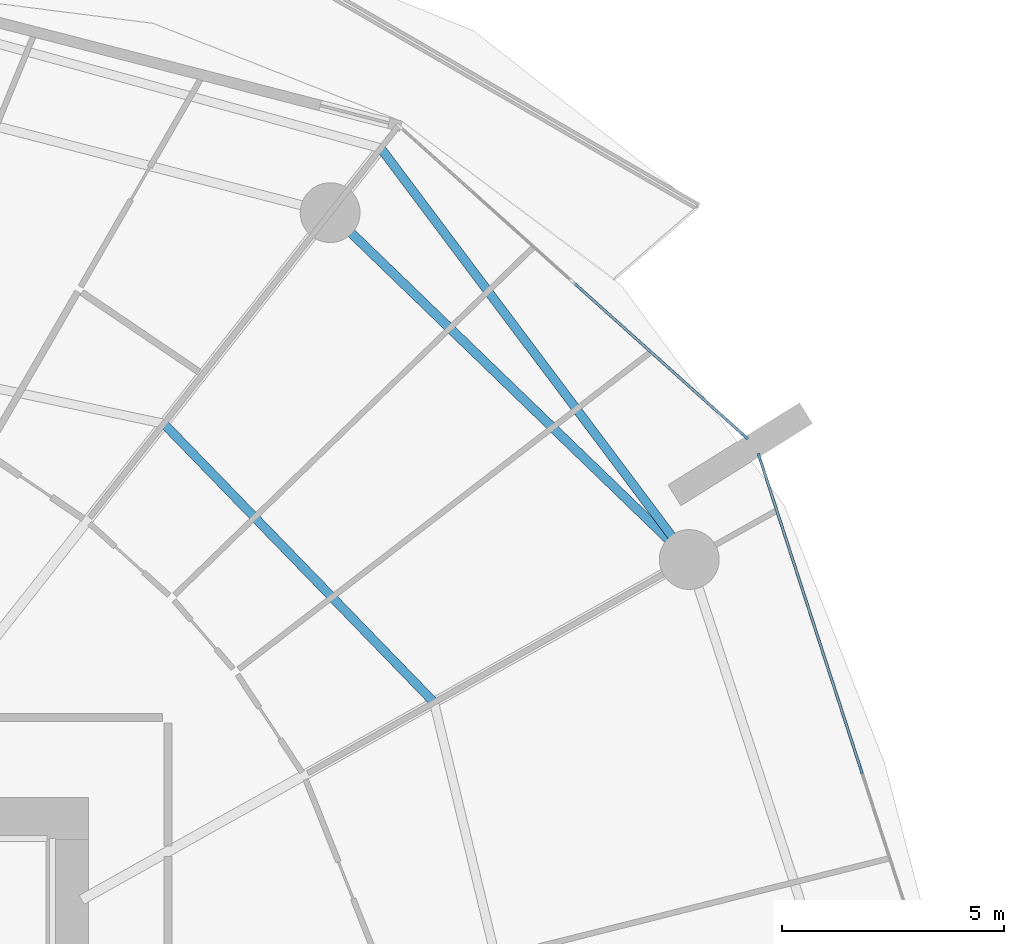
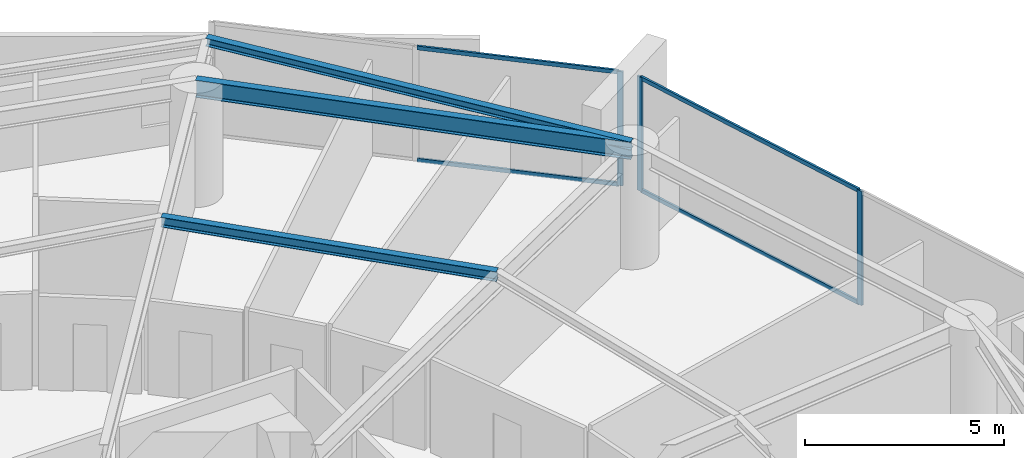
# One storey, part 15 of 31: 7 members, 3 beams, 2 elements without a shape of their own.
"""IFC4 building model written with IfcOpenShell, lengths in metres."""

from ifc_helpers import new_model, si_unit, direction, frame, origin, origin_2d, place, context, subcontext, project, spatial, rectangle, i_section, extrude, material, layer, layer_set, material_profile, profile_set, type_object, element, aggregate, save


model = new_model("IFC4")

# Units and contexts
model_context = context("Model", 3, precision=1e-05, world=origin(), true_north=direction((0.0, 1.0)))
body_context = subcontext(model_context, "Body", "Model", "MODEL_VIEW")
ifc_project = project(units=[si_unit("LENGTHUNIT", "METRE"), si_unit("AREAUNIT", "SQUARE_METRE"), si_unit("VOLUMEUNIT", "CUBIC_METRE"), si_unit("PLANEANGLEUNIT", "RADIAN"), si_unit("MASSUNIT", "GRAM", prefix="KILO")], contexts=[model_context])

# Site, building, storey
site_placement = place(None, origin())
site = spatial("IfcSite", under=ifc_project, at=site_placement, CompositionType="ELEMENT")
building_placement = place(site_placement, origin())
building = spatial("IfcBuilding", under=site, at=building_placement, Name="Kazma Halo Residences", CompositionType="ELEMENT")
storey_placement = place(building_placement, frame((0.0, 0.0, 41.39990234375)))
storey = spatial("IfcBuildingStorey", under=building, at=storey_placement, Name="L09", CompositionType="ELEMENT", Elevation=41.39990234375)

# Beams
ifc_material_1 = material(Name="Steel S355", Category="steel")
ifc_material_profile_1 = material_profile(ifc_material_1, i_section(OverallWidth=0.201904296875, OverallDepth=0.2470703125, WebThickness=0.00732421875, FlangeThickness=0.010986328125, FilletRadius=0.011962890625, at=origin_2d()), Name="W250x49.1")
ifc_profile_set_1 = profile_set([ifc_material_profile_1], Name="Steel S355")
beam_type_1 = type_object("IfcBeamType", Name="BM-BAL-CANT", PredefinedType="BEAM", material=ifc_profile_set_1)
beam_1_placement = place(storey_placement, frame((73.56494140625, 56.317138671875, 3.376708984375), z_axis=(-0.600026935007, 0.799979798037, 0.0), x_axis=(-0.799979798037, -0.600026935007, 0.0)))
element("IfcBeam", 1, at=beam_1_placement, inside=storey, type_object=beam_type_1, Name="L09 wave-balcony lead tie beam 01", PredefinedType="BEAM", context=body_context, shape_type="SweptSolid", body=[
    extrude(i_section(OverallWidth=0.201904296875, OverallDepth=0.2470703125, WebThickness=0.00732421875, FlangeThickness=0.010986328125, FilletRadius=0.011962890625, at=origin_2d()), origin(), (0.0, 0.0, 1.0), 11.601806640625),
])
ifc_material_profile_2 = material_profile(ifc_material_1, i_section(OverallWidth=0.202880859375, OverallDepth=0.302978515625, WebThickness=0.007568359375, FlangeThickness=0.01318359375, FilletRadius=0.013916015625, at=origin_2d()), Name="W310x60")
ifc_profile_set_2 = profile_set([ifc_material_profile_2], Name="Steel S355")
beam_type_2 = type_object("IfcBeamType", Name="BM-SEC-W310A", PredefinedType="JOIST", material=ifc_profile_set_2)
beam_2_placement = place(storey_placement, frame((67.8046875, 53.09130859375, 3.3486328125), z_axis=(-0.696130608567, 0.717915159205, 0.0), x_axis=(-0.717915159205, -0.696130608567, 0.0)))
element("IfcBeam", 2, at=beam_2_placement, inside=storey, type_object=beam_type_2, Name="L09 circumferential floor joist 01", PredefinedType="JOIST", context=body_context, shape_type="SweptSolid", body=[
    extrude(i_section(OverallWidth=0.202880859375, OverallDepth=0.302978515625, WebThickness=0.007568359375, FlangeThickness=0.01318359375, FilletRadius=0.013916015625, at=origin_2d()), origin(), (0.0, 0.0, 1.0), 8.763916015625),
])
ifc_material_profile_3 = material_profile(ifc_material_1, i_section(OverallWidth=0.208984375, OverallDepth=0.532958984375, WebThickness=0.01025390625, FlangeThickness=0.015625, FilletRadius=0.01611328125, at=origin_2d()), Name="W530x92")
ifc_profile_set_3 = profile_set([ifc_material_profile_3], Name="Steel S355")
beam_type_3 = type_object("IfcBeamType", Name="BM-SPN-W530", PredefinedType="BEAM", material=ifc_profile_set_3)
beam_3_placement = place(storey_placement, frame((73.56494140625, 56.317138671875, 3.233642578125), z_axis=(-0.719336506967, 0.694661780829, 0.0), x_axis=(-0.694661780829, -0.719336506967, 0.0)))
element("IfcBeam", 3, at=beam_3_placement, inside=storey, type_object=beam_type_3, Name="L09 perimeter ring beam 01", PredefinedType="BEAM", context=body_context, shape_type="SweptSolid", body=[
    extrude(i_section(OverallWidth=0.208984375, OverallDepth=0.532958984375, WebThickness=0.01025390625, FlangeThickness=0.015625, FilletRadius=0.01611328125, at=origin_2d()), origin(), (0.0, 0.0, 1.0), 11.269775390625),
])

# Curtain wall, member
ifc_material_2 = material(Name="Aluminium AW-6063 T6 and Triple-Silver Low-E Glass", Category="aluminium")
ifc_layer = layer(ifc_material_2, 0.159912109375)
ifc_layer_set = layer_set([ifc_layer], Name="Aluminium AW-6063 T6 and Triple-Silver Low-E Glass")
curtain_wall_type = type_object("IfcCurtainWallType", Name="CW-SYS-2", PredefinedType="NOTDEFINED", material=ifc_layer_set)
curtain_wall_1_placement = place(storey_placement, origin())
curtain_wall_1 = element("IfcCurtainWall", 4, at=curtain_wall_1_placement, inside=storey, type_object=curtain_wall_type, Name="L09 unitised curtain wall B01", PredefinedType="NOTDEFINED")
ifc_material_3 = material(Name="Aluminium AW-6063 T6", Category="aluminium")
ifc_material_profile_4 = material_profile(ifc_material_3, rectangle(XDim=0.06005859375, YDim=0.159912109375, at=origin_2d()), Name="CWM-60x160")
ifc_profile_set_4 = profile_set([ifc_material_profile_4], Name="Aluminium AW-6063 T6")
member_type_1 = type_object("IfcMemberType", Name="CW-SYS-2-MUL", PredefinedType="MULLION", material=ifc_profile_set_4)
member_1_placement = place(storey_placement, frame((74.82666015625, 59.091796875, 0.0), z_axis=(0.0, 0.0, 1.0), x_axis=(-0.667821453854, -0.744321506993, 0.0)))
member_1 = element("IfcMember", 5, at=member_1_placement, type_object=member_type_1, Name="CWS-2 mullion 1", PredefinedType="MULLION", context=body_context, shape_type="SweptSolid", body=[
    extrude(rectangle(XDim=0.06005859375, YDim=0.159912109375, at=origin_2d()), origin(), (0.0, 0.0, 1.0), 3.5),
])

# Curtain wall, members
curtain_wall_2_placement = place(storey_placement, origin())
curtain_wall_2 = element("IfcCurtainWall", 6, at=curtain_wall_2_placement, inside=storey, type_object=curtain_wall_type, Name="L09 unitised curtain wall B16", PredefinedType="NOTDEFINED")
member_2_placement = place(storey_placement, frame((77.44189453125, 51.56640625, 0.0), z_axis=(0.0, 0.0, 1.0), x_axis=(-0.95105652404, -0.309016970539, 0.0)))
member_2 = element("IfcMember", 7, at=member_2_placement, type_object=member_type_1, Name="CWS-2 mullion 2", PredefinedType="MULLION", context=body_context, shape_type="SweptSolid", body=[
    extrude(rectangle(XDim=0.06005859375, YDim=0.159912109375, at=origin_2d()), origin(), (0.0, 0.0, 1.0), 3.5),
])
member_3_placement = place(storey_placement, frame((75.145751953125, 58.63330078125, 0.0), z_axis=(0.0, 0.0, 1.0), x_axis=(-0.95105652404, -0.309016970539, 0.0)))
member_3 = element("IfcMember", 8, at=member_3_placement, type_object=member_type_1, Name="CWS-2 mullion 3", PredefinedType="MULLION", context=body_context, shape_type="SweptSolid", body=[
    extrude(rectangle(XDim=0.06005859375, YDim=0.159912109375, at=origin_2d()), origin(), (0.0, 0.0, 1.0), 3.5),
])

# Member
ifc_material_profile_5 = material_profile(ifc_material_3, rectangle(XDim=0.06005859375, YDim=0.1201171875, at=origin_2d()), Name="CWT-60x120")
ifc_profile_set_5 = profile_set([ifc_material_profile_5], Name="Aluminium AW-6063 T6")
member_type_2 = type_object("IfcMemberType", Name="CW-SYS-2-TRN", PredefinedType="USERDEFINED", material=ifc_profile_set_5)
member_4_placement = place(storey_placement, frame((74.80419921875, 59.11181640625, 0.030029296875), z_axis=(-0.744329408538, 0.66781264707, 0.0), x_axis=(-0.66781264707, -0.744329408538, 0.0)))
member_4 = element("IfcMember", 9, at=member_4_placement, type_object=member_type_2, Name="CWS-2 transom 1.1", ObjectType="TRANSOM", PredefinedType="USERDEFINED", context=body_context, shape_type="SweptSolid", body=[
    extrude(rectangle(XDim=0.06005859375, YDim=0.1201171875, at=origin_2d()), origin(), (0.0, 0.0, 1.0), 5.178466796875),
])

member_5_placement = place(storey_placement, frame((74.80419921875, 59.11181640625, 3.47021484375), z_axis=(-0.744329408538, 0.66781264707, 0.0), x_axis=(-0.66781264707, -0.744329408538, 0.0)))
member_5 = element("IfcMember", 10, at=member_5_placement, type_object=member_type_2, Name="CWS-2 transom 1.2", ObjectType="TRANSOM", PredefinedType="USERDEFINED", context=body_context, shape_type="SweptSolid", body=[
    extrude(rectangle(XDim=0.06005859375, YDim=0.1201171875, at=origin_2d()), origin(), (0.0, 0.0, 1.0), 5.178466796875),
])

aggregate(curtain_wall_1, [member_1, member_4, member_5])

member_6_placement = place(storey_placement, frame((77.4326171875, 51.5947265625, 0.030029296875), z_axis=(-0.309004433966, 0.951060597328, 0.0), x_axis=(-0.951060597328, -0.309004433966, 0.0)))
member_6 = element("IfcMember", 11, at=member_6_placement, type_object=member_type_2, Name="CWS-2 transom 2.1", ObjectType="TRANSOM", PredefinedType="USERDEFINED", context=body_context, shape_type="SweptSolid", body=[
    extrude(rectangle(XDim=0.06005859375, YDim=0.1201171875, at=origin_2d()), origin(), (0.0, 0.0, 1.0), 7.370849609375),
])

member_7_placement = place(storey_placement, frame((77.4326171875, 51.5947265625, 3.47021484375), z_axis=(-0.309004433966, 0.951060597328, 0.0), x_axis=(-0.951060597328, -0.309004433966, 0.0)))
member_7 = element("IfcMember", 12, at=member_7_placement, type_object=member_type_2, Name="CWS-2 transom 2.2", ObjectType="TRANSOM", PredefinedType="USERDEFINED", context=body_context, shape_type="SweptSolid", body=[
    extrude(rectangle(XDim=0.06005859375, YDim=0.1201171875, at=origin_2d()), origin(), (0.0, 0.0, 1.0), 7.370849609375),
])

aggregate(curtain_wall_2, [member_2, member_3, member_6, member_7])

save(model, "model.ifc")
